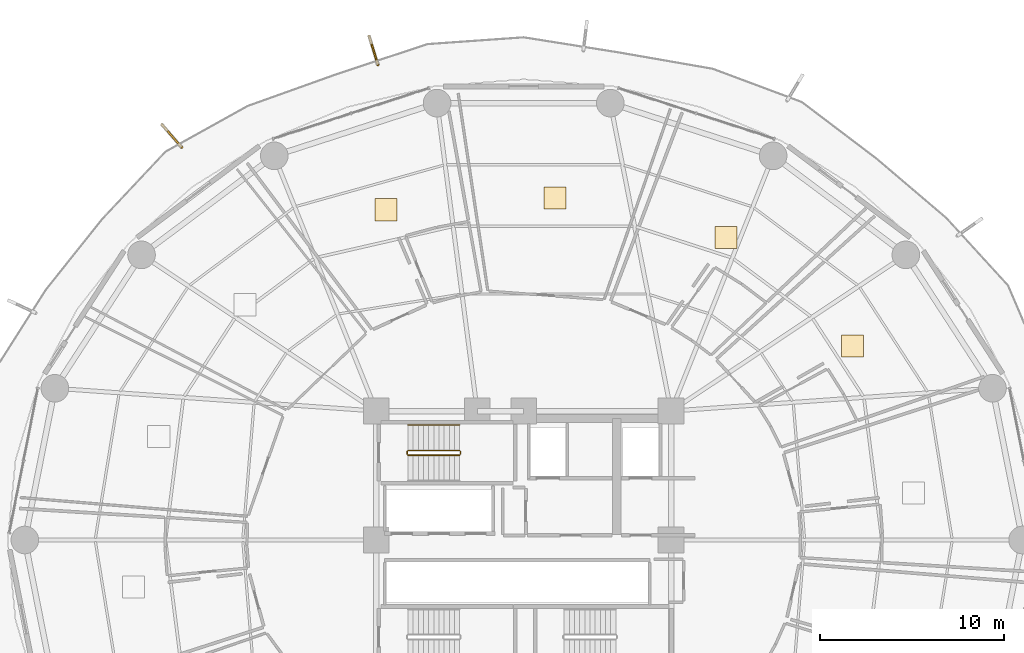
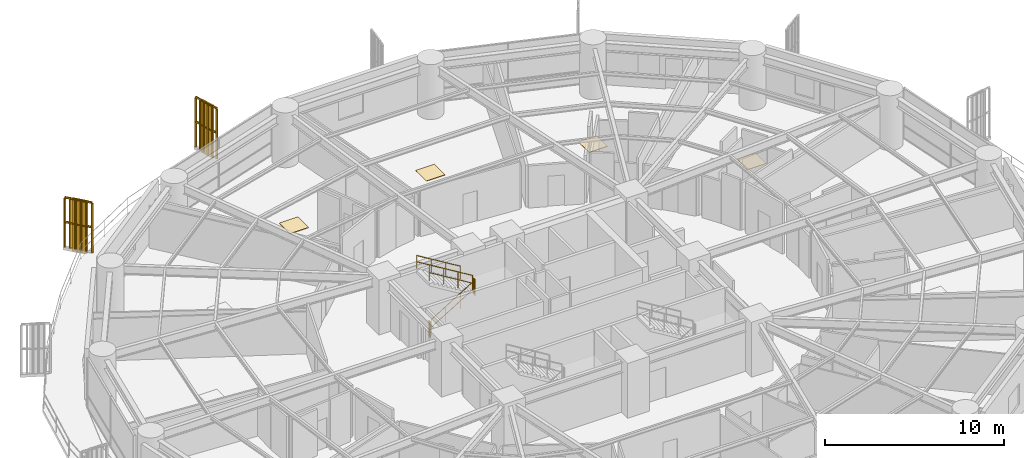
# One storey, part 30 of 31: 7 railings, 4 coverings, 2 shading devices.
"""IFC4 building model written with IfcOpenShell, lengths in metres."""

from ifc_helpers import new_model, si_unit, direction, frame, origin, origin_2d, place, context, subcontext, project, spatial, polyline, rectangle, outline, extrude, source, transform, mapped, material, layer, layer_set, type_object, element, save


model = new_model("IFC4")

# Units and contexts
model_context = context("Model", 3, precision=1e-05, world=origin(), true_north=direction((0.0, 1.0)))
body_context = subcontext(model_context, "Body", "Model", "MODEL_VIEW")
ifc_project = project(units=[si_unit("LENGTHUNIT", "METRE"), si_unit("AREAUNIT", "SQUARE_METRE"), si_unit("VOLUMEUNIT", "CUBIC_METRE"), si_unit("PLANEANGLEUNIT", "RADIAN"), si_unit("MASSUNIT", "GRAM", prefix="KILO")], contexts=[model_context])

# Site, building, storey
site_placement = place(None, origin())
site = spatial("IfcSite", under=ifc_project, at=site_placement, CompositionType="ELEMENT")
building_placement = place(site_placement, origin())
building = spatial("IfcBuilding", under=site, at=building_placement, Name="Kelanora Arch Commons", CompositionType="ELEMENT")
storey_placement = place(building_placement, frame((0.0, 0.0, 63.75)))
storey = spatial("IfcBuildingStorey", under=building, at=storey_placement, Name="L16", CompositionType="ELEMENT", Elevation=63.75)

# Railings
ifc_material_1 = material(Name="Anodised bronze vertical shading fin rib assembly")
railing_type_1 = type_object("IfcRailingType", Name="RAIL-FIN-BRZ", PredefinedType="BALUSTRADE", material=ifc_material_1)
railing_1_placement = place(storey_placement, frame((66.087646484375, 83.796630859375, -0.02001953125)))
element("IfcRailing", 1, at=railing_1_placement, inside=storey, type_object=railing_type_1, Name="Sweeping Bronze Vertical Fin Blade L16-03", PredefinedType="BALUSTRADE", context=body_context, shape_type="SweptSolid", body=[
    extrude(outline(polyline([(0.06982421875, 0.0), (0.034912109375, 0.060546875), (-0.034912109375, 0.060546875), (-0.06982421875, 0.0), (-0.034912109375, -0.060546875), (0.034912109375, -0.060546875), (0.06982421875, 0.0)])), frame((0.0, 0.0, 3.419921875), z_axis=(-0.293269054206, 0.956029948195, 0.0), x_axis=(-0.956029948195, -0.293269054206, 0.0)), (0.0, 0.0, 1.0), 1.617431640625),
    extrude(outline(polyline([(0.06982421875, 0.0), (0.034912109375, 0.060546875), (-0.034912109375, 0.060546875), (-0.06982421875, 0.0), (-0.034912109375, -0.060546875), (0.034912109375, -0.060546875), (0.06982421875, 0.0)])), frame((0.0, 0.0, 1.7451171875), z_axis=(-0.293269054206, 0.956029948195, 0.0), x_axis=(-0.956029948195, -0.293269054206, 0.0)), (0.0, 0.0, 1.0), 1.617431640625),
    extrude(outline(polyline([(0.080078125, 0.0), (0.0400390625, 0.0693359375), (-0.0400390625, 0.0693359375), (-0.080078125, 0.0), (-0.0400390625, -0.0693359375), (0.0400390625, -0.0693359375), (0.080078125, 0.0)])), origin(), (0.0, 0.0, 1.0), 3.35009765625),
    extrude(outline(polyline([(0.080078125, 0.0), (0.0400390625, 0.0693359375), (-0.0400390625, 0.0693359375), (-0.080078125, 0.0), (-0.0400390625, -0.0693359375), (0.0400390625, -0.0693359375), (0.080078125, 0.0)])), frame((-0.094970703125, 0.309326171875, 0.0)), (0.0, 0.0, 1.0), 3.35009765625),
    extrude(outline(polyline([(0.080078125, 0.0), (0.0400390625, 0.0693359375), (-0.0400390625, 0.0693359375), (-0.080078125, 0.0), (-0.0400390625, -0.0693359375), (0.0400390625, -0.0693359375), (0.080078125, 0.0)])), frame((-0.189697265625, 0.61865234375, 0.0)), (0.0, 0.0, 1.0), 3.35009765625),
    extrude(outline(polyline([(0.080078125, 0.0), (0.0400390625, 0.0693359375), (-0.0400390625, 0.0693359375), (-0.080078125, 0.0), (-0.0400390625, -0.0693359375), (0.0400390625, -0.0693359375), (0.080078125, 0.0)])), frame((-0.28466796875, 0.927734375, 0.0)), (0.0, 0.0, 1.0), 3.35009765625),
    extrude(outline(polyline([(0.080078125, 0.0), (0.0400390625, 0.0693359375), (-0.0400390625, 0.0693359375), (-0.080078125, 0.0), (-0.0400390625, -0.0693359375), (0.0400390625, -0.0693359375), (0.080078125, 0.0)])), frame((-0.37939453125, 1.237060546875, 0.0)), (0.0, 0.0, 1.0), 3.35009765625),
    extrude(outline(polyline([(0.080078125, 0.0), (0.0400390625, 0.0693359375), (-0.0400390625, 0.0693359375), (-0.080078125, 0.0), (-0.0400390625, -0.0693359375), (0.0400390625, -0.0693359375), (0.080078125, 0.0)])), frame((-0.474365234375, 1.54638671875, 0.0)), (0.0, 0.0, 1.0), 3.35009765625),
])
railing_2_placement = place(storey_placement, frame((55.431396484375, 79.321533203125, -0.02001953125)))
element("IfcRailing", 2, at=railing_2_placement, inside=storey, type_object=railing_type_1, Name="Sweeping Bronze Vertical Fin Blade L16-04", PredefinedType="BALUSTRADE", context=body_context, shape_type="SweptSolid", body=[
    extrude(outline(polyline([(0.06982421875, 0.0), (0.034912109375, 0.060546875), (-0.034912109375, 0.060546875), (-0.06982421875, 0.0), (-0.034912109375, -0.060546875), (0.034912109375, -0.060546875), (0.06982421875, 0.0)])), frame((0.0, 0.0, 3.419921875), z_axis=(-0.656750287848, 0.754108121831, 0.0), x_axis=(-0.754108121831, -0.656750287848, 0.0)), (0.0, 0.0, 1.0), 1.617431640625),
    extrude(outline(polyline([(0.06982421875, 0.0), (0.034912109375, 0.060546875), (-0.034912109375, 0.060546875), (-0.06982421875, 0.0), (-0.034912109375, -0.060546875), (0.034912109375, -0.060546875), (0.06982421875, 0.0)])), frame((0.0, 0.0, 1.7451171875), z_axis=(-0.656750287848, 0.754108121831, 0.0), x_axis=(-0.754108121831, -0.656750287848, 0.0)), (0.0, 0.0, 1.0), 1.617431640625),
    extrude(outline(polyline([(0.080078125, 0.0), (0.0400390625, 0.0693359375), (-0.0400390625, 0.0693359375), (-0.080078125, 0.0), (-0.0400390625, -0.0693359375), (0.0400390625, -0.0693359375), (0.080078125, 0.0)])), origin(), (0.0, 0.0, 1.0), 3.35009765625),
    extrude(outline(polyline([(0.080078125, 0.0), (0.0400390625, 0.0693359375), (-0.0400390625, 0.0693359375), (-0.080078125, 0.0), (-0.0400390625, -0.0693359375), (0.0400390625, -0.0693359375), (0.080078125, 0.0)])), frame((-0.21240234375, 0.243896484375, 0.0)), (0.0, 0.0, 1.0), 3.35009765625),
    extrude(outline(polyline([(0.080078125, 0.0), (0.0400390625, 0.0693359375), (-0.0400390625, 0.0693359375), (-0.080078125, 0.0), (-0.0400390625, -0.0693359375), (0.0400390625, -0.0693359375), (0.080078125, 0.0)])), frame((-0.4248046875, 0.48779296875, 0.0)), (0.0, 0.0, 1.0), 3.35009765625),
    extrude(outline(polyline([(0.080078125, 0.0), (0.0400390625, 0.0693359375), (-0.0400390625, 0.0693359375), (-0.080078125, 0.0), (-0.0400390625, -0.0693359375), (0.0400390625, -0.0693359375), (0.080078125, 0.0)])), frame((-0.637451171875, 0.73193359375, 0.0)), (0.0, 0.0, 1.0), 3.35009765625),
    extrude(outline(polyline([(0.080078125, 0.0), (0.0400390625, 0.0693359375), (-0.0400390625, 0.0693359375), (-0.080078125, 0.0), (-0.0400390625, -0.0693359375), (0.0400390625, -0.0693359375), (0.080078125, 0.0)])), frame((-0.849853515625, 0.975830078125, 0.0)), (0.0, 0.0, 1.0), 3.35009765625),
    extrude(outline(polyline([(0.080078125, 0.0), (0.0400390625, 0.0693359375), (-0.0400390625, 0.0693359375), (-0.080078125, 0.0), (-0.0400390625, -0.0693359375), (0.0400390625, -0.0693359375), (0.080078125, 0.0)])), frame((-1.062255859375, 1.2197265625, 0.0)), (0.0, 0.0, 1.0), 3.35009765625),
])
ifc_material_2 = material(Name="Painted steel stair well guard", Category="steel")
railing_type_2 = type_object("IfcRailingType", Name="RAIL-STAIR-GRD", PredefinedType="GUARDRAIL", material=ifc_material_2)
railing_3_placement = place(storey_placement, frame((67.719970703125, 62.610107421875, 0.17041015625)))
element("IfcRailing", 3, at=railing_3_placement, inside=storey, type_object=railing_type_2, Name="L16 ST-T1 stair guard 1", PredefinedType="GUARDRAIL", context=body_context, shape_type="SweptSolid", body=[
    extrude(outline(polyline([(0.02392578125, 0.0), (0.011962890625, 0.020751953125), (-0.011962890625, 0.020751953125), (-0.02392578125, 0.0), (-0.011962890625, -0.020751953125), (0.011962890625, -0.020751953125), (0.02392578125, 0.0)])), frame((0.0, 0.0, 1.076171875), z_axis=(0.854169791009, 0.0, 0.51999420009), x_axis=(0.0, 1.0, 0.0)), (0.0, 0.0, 1.0), 3.278076171875),
    extrude(outline(polyline([(0.02392578125, 0.0), (0.011962890625, 0.020751953125), (-0.011962890625, 0.020751953125), (-0.02392578125, 0.0), (-0.011962890625, -0.020751953125), (0.011962890625, -0.020751953125), (0.02392578125, 0.0)])), frame((0.0, 0.0, 0.550048828125), z_axis=(0.854169791009, 0.0, 0.51999420009), x_axis=(0.0, 1.0, 0.0)), (0.0, 0.0, 1.0), 3.278076171875),
    extrude(outline(polyline([(0.02099609375, 0.0), (0.010498046875, 0.01806640625), (-0.010498046875, 0.01806640625), (-0.02099609375, 0.0), (-0.010498046875, -0.01806640625), (0.010498046875, -0.01806640625), (0.02099609375, 0.0)])), origin(), (0.0, 0.0, 1.0), 1.052001953125),
    extrude(outline(polyline([(0.02099609375, 0.0), (0.010498046875, 0.01806640625), (-0.010498046875, 0.01806640625), (-0.02099609375, 0.0), (-0.010498046875, -0.01806640625), (0.010498046875, -0.01806640625), (0.02099609375, 0.0)])), frame((0.933349609375, 0.0, 0.568115234375)), (0.0, 0.0, 1.0), 1.052001953125),
    extrude(outline(polyline([(0.02099609375, 0.0), (0.010498046875, 0.01806640625), (-0.010498046875, 0.01806640625), (-0.02099609375, 0.0), (-0.010498046875, -0.01806640625), (0.010498046875, -0.01806640625), (0.02099609375, 0.0)])), frame((1.86669921875, 0.0, 1.136474609375)), (0.0, 0.0, 1.0), 1.052001953125),
    extrude(outline(polyline([(0.02099609375, 0.0), (0.010498046875, 0.01806640625), (-0.010498046875, 0.01806640625), (-0.02099609375, 0.0), (-0.010498046875, -0.01806640625), (0.010498046875, -0.01806640625), (0.02099609375, 0.0)])), frame((2.800048828125, 0.0, 1.70458984375)), (0.0, 0.0, 1.0), 1.052001953125),
])
railing_4_placement = place(storey_placement, frame((70.570068359375, 62.659912109375, 1.875)))
element("IfcRailing", 4, at=railing_4_placement, inside=storey, type_object=railing_type_2, Name="L16 ST-T1 stair guard 2", PredefinedType="GUARDRAIL", context=body_context, shape_type="SweptSolid", body=[
    extrude(outline(polyline([(0.02392578125, 0.0), (0.011962890625, 0.020751953125), (-0.011962890625, 0.020751953125), (-0.02392578125, 0.0), (-0.011962890625, -0.020751953125), (0.011962890625, -0.020751953125), (0.02392578125, 0.0)])), frame((0.0, 0.0, 1.076171875), z_axis=(0.0, 1.0, 0.0), x_axis=(-1.0, 0.0, 0.0)), (0.0, 0.0, 1.0), 0.150146484375),
    extrude(outline(polyline([(0.02392578125, 0.0), (0.011962890625, 0.020751953125), (-0.011962890625, 0.020751953125), (-0.02392578125, 0.0), (-0.011962890625, -0.020751953125), (0.011962890625, -0.020751953125), (0.02392578125, 0.0)])), frame((0.0, 0.0, 0.550048828125), z_axis=(0.0, 1.0, 0.0), x_axis=(-1.0, 0.0, 0.0)), (0.0, 0.0, 1.0), 0.150146484375),
    extrude(outline(polyline([(0.02099609375, 0.0), (0.010498046875, 0.01806640625), (-0.010498046875, 0.01806640625), (-0.02099609375, 0.0), (-0.010498046875, -0.01806640625), (0.010498046875, -0.01806640625), (0.02099609375, 0.0)])), origin(), (0.0, 0.0, 1.0), 1.052001953125),
    extrude(outline(polyline([(0.02099609375, 0.0), (0.010498046875, 0.01806640625), (-0.010498046875, 0.01806640625), (-0.02099609375, 0.0), (-0.010498046875, -0.01806640625), (0.010498046875, -0.01806640625), (0.02099609375, 0.0)])), frame((0.0, 0.150146484375, 0.0)), (0.0, 0.0, 1.0), 1.052001953125),
])
railing_5_placement = place(storey_placement, frame((70.52001953125, 62.860107421875, 2.04541015625)))
element("IfcRailing", 5, at=railing_5_placement, inside=storey, type_object=railing_type_2, Name="L16 ST-T1 stair guard 3", PredefinedType="GUARDRAIL", context=body_context, shape_type="SweptSolid", body=[
    extrude(outline(polyline([(0.02392578125, 0.0), (0.011962890625, 0.020751953125), (-0.011962890625, 0.020751953125), (-0.02392578125, 0.0), (-0.011962890625, -0.020751953125), (0.011962890625, -0.020751953125), (0.02392578125, 0.0)])), frame((0.0, 0.0, 1.076171875), z_axis=(-0.854169791009, 0.0, 0.51999420009), x_axis=(0.0, -1.0, 0.0)), (0.0, 0.0, 1.0), 3.278076171875),
    extrude(outline(polyline([(0.02392578125, 0.0), (0.011962890625, 0.020751953125), (-0.011962890625, 0.020751953125), (-0.02392578125, 0.0), (-0.011962890625, -0.020751953125), (0.011962890625, -0.020751953125), (0.02392578125, 0.0)])), frame((0.0, 0.0, 0.550048828125), z_axis=(-0.854169791009, 0.0, 0.51999420009), x_axis=(0.0, -1.0, 0.0)), (0.0, 0.0, 1.0), 3.278076171875),
    extrude(outline(polyline([(0.02099609375, 0.0), (0.010498046875, 0.01806640625), (-0.010498046875, 0.01806640625), (-0.02099609375, 0.0), (-0.010498046875, -0.01806640625), (0.010498046875, -0.01806640625), (0.02099609375, 0.0)])), origin(), (0.0, 0.0, 1.0), 1.052001953125),
    extrude(outline(polyline([(0.02099609375, 0.0), (0.010498046875, 0.01806640625), (-0.010498046875, 0.01806640625), (-0.02099609375, 0.0), (-0.010498046875, -0.01806640625), (0.010498046875, -0.01806640625), (0.02099609375, 0.0)])), frame((-0.933349609375, 0.0, 0.568115234375)), (0.0, 0.0, 1.0), 1.052001953125),
    extrude(outline(polyline([(0.02099609375, 0.0), (0.010498046875, 0.01806640625), (-0.010498046875, 0.01806640625), (-0.02099609375, 0.0), (-0.010498046875, -0.01806640625), (0.010498046875, -0.01806640625), (0.02099609375, 0.0)])), frame((-1.86669921875, 0.0, 1.136474609375)), (0.0, 0.0, 1.0), 1.052001953125),
    extrude(outline(polyline([(0.02099609375, 0.0), (0.010498046875, 0.01806640625), (-0.010498046875, 0.01806640625), (-0.02099609375, 0.0), (-0.010498046875, -0.01806640625), (0.010498046875, -0.01806640625), (0.02099609375, 0.0)])), frame((-2.800048828125, 0.0, 1.70458984375)), (0.0, 0.0, 1.0), 1.052001953125),
])
railing_6_placement = place(storey_placement, frame((67.669921875, 62.659912109375, 0.0)))
element("IfcRailing", 6, at=railing_6_placement, inside=storey, type_object=railing_type_2, Name="L16 ST-T1 stair guard 4", PredefinedType="GUARDRAIL", context=body_context, shape_type="SweptSolid", body=[
    extrude(outline(polyline([(0.02392578125, 0.0), (0.011962890625, 0.020751953125), (-0.011962890625, 0.020751953125), (-0.02392578125, 0.0), (-0.011962890625, -0.020751953125), (0.011962890625, -0.020751953125), (0.02392578125, 0.0)])), frame((0.0, 0.0, 1.076171875), z_axis=(0.0, 1.0, 0.0), x_axis=(-1.0, 0.0, 0.0)), (0.0, 0.0, 1.0), 0.150146484375),
    extrude(outline(polyline([(0.02392578125, 0.0), (0.011962890625, 0.020751953125), (-0.011962890625, 0.020751953125), (-0.02392578125, 0.0), (-0.011962890625, -0.020751953125), (0.011962890625, -0.020751953125), (0.02392578125, 0.0)])), frame((0.0, 0.0, 0.550048828125), z_axis=(0.0, 1.0, 0.0), x_axis=(-1.0, 0.0, 0.0)), (0.0, 0.0, 1.0), 0.150146484375),
    extrude(outline(polyline([(0.02099609375, 0.0), (0.010498046875, 0.01806640625), (-0.010498046875, 0.01806640625), (-0.02099609375, 0.0), (-0.010498046875, -0.01806640625), (0.010498046875, -0.01806640625), (0.02099609375, 0.0)])), origin(), (0.0, 0.0, 1.0), 1.052001953125),
    extrude(outline(polyline([(0.02099609375, 0.0), (0.010498046875, 0.01806640625), (-0.010498046875, 0.01806640625), (-0.02099609375, 0.0), (-0.010498046875, -0.01806640625), (0.010498046875, -0.01806640625), (0.02099609375, 0.0)])), frame((0.0, 0.150146484375, 0.0)), (0.0, 0.0, 1.0), 1.052001953125),
])
ifc_material_3 = material(Name="Brushed stainless steel stair handrail", Category="steel")
railing_type_3 = type_object("IfcRailingType", Name="RAIL-STAIR-HND", PredefinedType="HANDRAIL", material=ifc_material_3)
railing_7_placement = place(storey_placement, frame((70.52001953125, 64.239990234375, 2.04541015625)))
element("IfcRailing", 7, at=railing_7_placement, inside=storey, type_object=railing_type_3, Name="L16 ST-T1 stair handrail 2", PredefinedType="HANDRAIL", context=body_context, shape_type="SweptSolid", body=[
    extrude(outline(polyline([(0.02392578125, 0.0), (0.011962890625, 0.020751953125), (-0.011962890625, 0.020751953125), (-0.02392578125, 0.0), (-0.011962890625, -0.020751953125), (0.011962890625, -0.020751953125), (0.02392578125, 0.0)])), frame((0.0, 0.0, 0.8759765625), z_axis=(-0.854169791009, 0.0, 0.51999420009), x_axis=(0.0, -1.0, 0.0)), (0.0, 0.0, 1.0), 3.278076171875),
    extrude(outline(polyline([(0.02392578125, 0.0), (0.011962890625, 0.020751953125), (-0.011962890625, 0.020751953125), (-0.02392578125, 0.0), (-0.011962890625, -0.020751953125), (0.011962890625, -0.020751953125), (0.02392578125, 0.0)])), frame((0.0, 0.0, 0.449951171875), z_axis=(-0.854169791009, 0.0, 0.51999420009), x_axis=(0.0, -1.0, 0.0)), (0.0, 0.0, 1.0), 3.278076171875),
    extrude(outline(polyline([(0.02099609375, 0.0), (0.010498046875, 0.01806640625), (-0.010498046875, 0.01806640625), (-0.02099609375, 0.0), (-0.010498046875, -0.01806640625), (0.010498046875, -0.01806640625), (0.02099609375, 0.0)])), origin(), (0.0, 0.0, 1.0), 0.851806640625),
    extrude(outline(polyline([(0.02099609375, 0.0), (0.010498046875, 0.01806640625), (-0.010498046875, 0.01806640625), (-0.02099609375, 0.0), (-0.010498046875, -0.01806640625), (0.010498046875, -0.01806640625), (0.02099609375, 0.0)])), frame((-0.933349609375, 0.0, 0.568115234375)), (0.0, 0.0, 1.0), 0.851806640625),
    extrude(outline(polyline([(0.02099609375, 0.0), (0.010498046875, 0.01806640625), (-0.010498046875, 0.01806640625), (-0.02099609375, 0.0), (-0.010498046875, -0.01806640625), (0.010498046875, -0.01806640625), (0.02099609375, 0.0)])), frame((-1.86669921875, 0.0, 1.136474609375)), (0.0, 0.0, 1.0), 0.851806640625),
    extrude(outline(polyline([(0.02099609375, 0.0), (0.010498046875, 0.01806640625), (-0.010498046875, 0.01806640625), (-0.02099609375, 0.0), (-0.010498046875, -0.01806640625), (0.010498046875, -0.01806640625), (0.02099609375, 0.0)])), frame((-2.800048828125, 0.0, 1.70458984375)), (0.0, 0.0, 1.0), 0.851806640625),
])

# Shading devices
ifc_material_4 = material(Name="Terracotta ceramic-clad extruded aluminium fin", Category="masonry")
shading_device_type = type_object("IfcShadingDeviceType", Name="SHD-FIN-FLARE", PredefinedType="USERDEFINED", material=ifc_material_4)
shared_shape_1 = source(origin(), body_context, "Body", "SweptSolid", [
    extrude(rectangle(XDim=0.8798828125, YDim=0.090087890625, at=origin_2d()), origin(), (0.0, 0.0, 1.0), 3.610107421875),
])
for number, where, z_axis, x_axis, name in (
    (8, (65.87646484375, 84.485107421875, -0.14013671875), (0.0, 0.0, 1.0), (-0.293206126622, 0.956049249417, 0.0), "Sweeping Terracotta Fin L16-03"),
    (9, (54.95849609375, 79.864501953125, -0.14013671875), (0.0, 0.0, 1.0), (-0.656717387452, 0.754136773416, 0.0), "Sweeping Terracotta Fin L16-04"),
):
    element("IfcShadingDevice", number, at=place(storey_placement, frame(where, z_axis=z_axis, x_axis=x_axis)), inside=storey, type_object=shading_device_type, Name=name, ObjectType="FIN", PredefinedType="USERDEFINED", context=body_context, shape_type="MappedRepresentation", body=[
        mapped(shared_shape_1, transform((0.0, 0.0, 0.0), scale=1.0)),
    ])

# Coverings
ifc_material_5 = material(Name="Polished local granite terrazzo flooring", Category="masonry")
ifc_layer = layer(ifc_material_5, 0.030029296875)
ifc_layer_set = layer_set([ifc_layer], Name="Polished local granite terrazzo flooring")
covering_type = type_object("IfcCoveringType", Name="COV-FLR-TER", PredefinedType="FLOORING", material=ifc_layer_set)
shared_shape_2 = source(origin(), body_context, "Body", "SweptSolid", [
    extrude(rectangle(XDim=1.199951171875, YDim=1.199951171875, at=origin_2d()), origin(), (0.0, 0.0, 1.0), 0.030029296875),
])
for number, where, z_axis, x_axis, name in (
    (10, (91.841796875, 68.52587890625, 0.0), (0.0, 0.0, 1.0), (1.0, 0.0, 0.0), "Co-Living Studio L16-01 Terrazzo Finish"),
    (11, (84.979248046875, 74.41943359375, 0.0), (0.0, 0.0, 1.0), (1.0, 0.0, 0.0), "Co-Living Studio L16-02 Terrazzo Finish"),
    (12, (75.70751953125, 76.564453125, 0.0), (0.0, 0.0, 1.0), (1.0, 0.0, 0.0), "Communal Dining and Social Hall L16-03 Terrazzo Finish"),
    (13, (66.5205078125, 75.927001953125, 0.0), (0.0, 0.0, 1.0), (1.0, 0.0, 0.0), "Co-Living Studio L16-04 Terrazzo Finish"),
):
    element("IfcCovering", number, at=place(storey_placement, frame(where, z_axis=z_axis, x_axis=x_axis)), inside=storey, type_object=covering_type, Name=name, PredefinedType="FLOORING", context=body_context, shape_type="MappedRepresentation", body=[
        mapped(shared_shape_2, transform((0.0, 0.0, 0.0), scale=1.0)),
    ])

save(model, "model.ifc")
